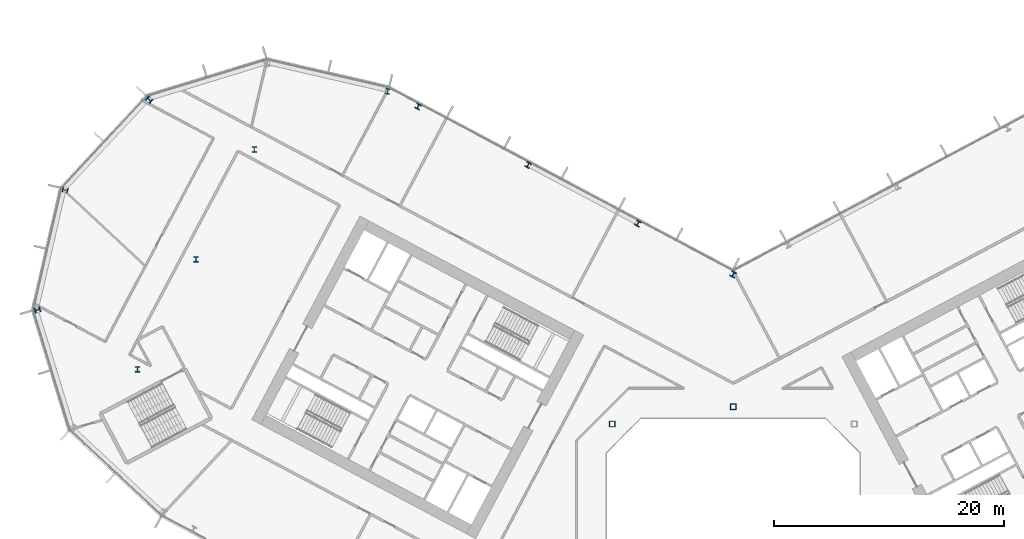
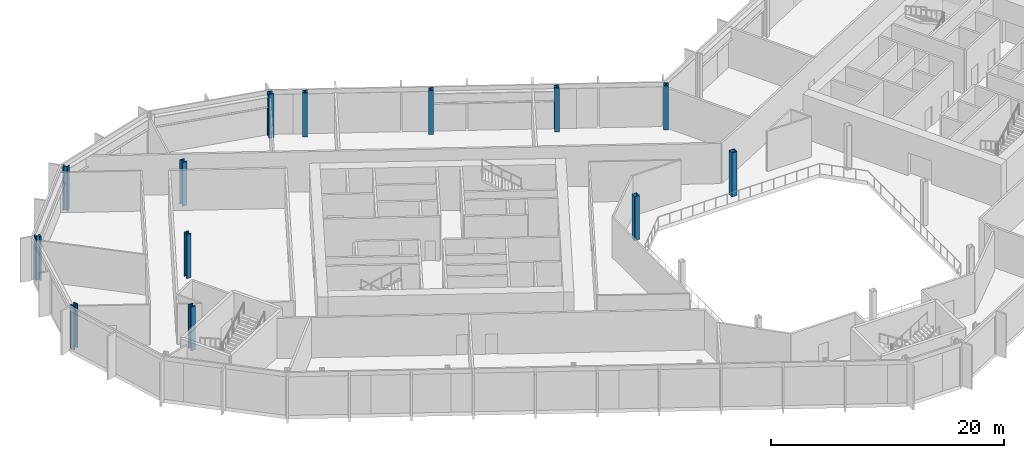
# One storey, part 2 of 32: 13 columns.
"""IFC4 building model written with IfcOpenShell, lengths in metres."""

from ifc_helpers import new_model, si_unit, direction, frame, origin, origin_2d, place, context, subcontext, project, spatial, hollow_rectangle, i_section, extrude, material, material_profile, profile_set, type_object, element, save


model = new_model("IFC4")

# Units and contexts
model_context = context("Model", 3, precision=1e-05, world=origin(), true_north=direction((0.0, 1.0)))
body_context = subcontext(model_context, "Body", "Model", "MODEL_VIEW")
ifc_project = project(units=[si_unit("LENGTHUNIT", "METRE"), si_unit("AREAUNIT", "SQUARE_METRE"), si_unit("VOLUMEUNIT", "CUBIC_METRE"), si_unit("PLANEANGLEUNIT", "RADIAN"), si_unit("MASSUNIT", "GRAM", prefix="KILO")], contexts=[model_context])

# Site, building, storey
site_placement = place(None, origin())
site = spatial("IfcSite", under=ifc_project, at=site_placement, CompositionType="ELEMENT")
building_placement = place(site_placement, origin())
building = spatial("IfcBuilding", under=site, at=building_placement, Name="Cormorant Relay Tower", CompositionType="ELEMENT")
storey_placement = place(building_placement, frame((0.0, 0.0, 70.800048828125)))
storey = spatial("IfcBuildingStorey", under=building, at=storey_placement, Name="L13", CompositionType="ELEMENT", Elevation=70.800048828125)

# Columns
ifc_material_1 = material(Name="Steel ASTM A500 Grade C (Fy 345 MPa)", Category="steel")
ifc_material_profile_1 = material_profile(ifc_material_1, hollow_rectangle(XDim=0.508056640625, YDim=0.508056640625, WallThickness=0.020751953125, InnerFilletRadius=0.01025390625, OuterFilletRadius=0.031005859375, at=origin_2d()), Name="HSS508x508x21")
ifc_profile_set_1 = profile_set([ifc_material_profile_1], Name="Steel ASTM A500 Grade C (Fy 345 MPa)")
column_type_1 = type_object("IfcColumnType", Name="Column HSS508x508x21", PredefinedType="COLUMN", material=ifc_profile_set_1)
for number, where, z_axis, x_axis, name in (
    (1, (-10.5, 10.5, 0.0), (0.0, 0.0, 1.0), (1.0, 0.0, 0.0), "Column L13-022"),
    (2, (0.0, 12.0, 0.0), (0.0, 0.0, 1.0), (1.0, 0.0, 0.0), "Column L13-024"),
):
    element("IfcColumn", number, at=place(storey_placement, frame(where, z_axis=z_axis, x_axis=x_axis)), inside=storey, type_object=column_type_1, Name=name, PredefinedType="COLUMN", context=body_context, shape_type="SweptSolid", body=[
        extrude(hollow_rectangle(XDim=0.508056640625, YDim=0.508056640625, WallThickness=0.020751953125, InnerFilletRadius=0.01025390625, OuterFilletRadius=0.031005859375, at=origin_2d()), origin(), (0.0, 0.0, 1.0), 4.599853515625),
    ])
ifc_material_2 = material(Name="Steel ASTM A992 (Fy 345 MPa)", Category="steel")
ifc_material_profile_2 = material_profile(ifc_material_2, i_section(OverallWidth=0.42431640625, OverallDepth=0.47509765625, WebThickness=0.0478515625, FlangeThickness=0.0771484375, FilletRadius=0.014892578125, at=origin_2d()), Name="W360x634")
ifc_profile_set_2 = profile_set([ifc_material_profile_2], Name="Steel ASTM A992 (Fy 345 MPa)")
column_type_2 = type_object("IfcColumnType", Name="Column W360x634", PredefinedType="COLUMN", material=ifc_profile_set_2)
for number, where, z_axis, x_axis, name in (
    (3, (-8.26611328125, 27.906982421875, 0.0), (0.0, 0.0, 1.0), (-0.882947592859, 0.469471562786, 0.0), "Column L13-036"),
    (4, (-17.802001953125, 32.97802734375, 0.0), (0.0, 0.0, 1.0), (-0.882947592859, 0.469471562786, 0.0), "Column L13-041"),
    (5, (-27.337890625, 38.048095703125, 0.0), (0.0, 0.0, 1.0), (-0.882947592859, 0.469471562786, 0.0), "Column L13-046"),
):
    element("IfcColumn", number, at=place(storey_placement, frame(where, z_axis=z_axis, x_axis=x_axis)), inside=storey, type_object=column_type_2, Name=name, PredefinedType="COLUMN", context=body_context, shape_type="SweptSolid", body=[
        extrude(i_section(OverallWidth=0.42431640625, OverallDepth=0.47509765625, WebThickness=0.0478515625, FlangeThickness=0.0771484375, FilletRadius=0.014892578125, at=origin_2d()), origin(), (0.0, 0.0, 1.0), 4.599853515625),
    ])
ifc_material_3 = material(Name="Steel ASTM A992 (Fy 345 MPa)", Category="steel")
ifc_material_profile_3 = material_profile(ifc_material_3, i_section(OverallWidth=0.43701171875, OverallDepth=0.51318359375, WebThickness=0.060546875, FlangeThickness=0.096923828125, FilletRadius=0.015380859375, at=origin_2d()), Name="W360x818")
ifc_profile_set_3 = profile_set([ifc_material_profile_3], Name="Steel ASTM A992 (Fy 345 MPa)")
column_type_3 = type_object("IfcColumnType", Name="Column W360x818", PredefinedType="COLUMN", material=ifc_profile_set_3)
for number, where, z_axis, x_axis, name in (
    (6, (-51.68994140625, 15.251953125, 0.0), (0.0, 0.0, 1.0), (1.0, 0.0, 0.0), "Column L13-027"),
    (7, (-60.3701171875, 20.406005859375, 0.0), (0.0, 0.0, 1.0), (0.292371704723, -0.956304755963, 0.0), "Column L13-030"),
    (8, (0.0, 23.48388671875, 0.0), (0.0, 0.0, 1.0), (-0.882947592859, 0.469471562786, 0.0), "Column L13-032"),
    (9, (-46.6201171875, 24.7880859375, 0.0), (0.0, 0.0, 1.0), (1.0, 0.0, 0.0), "Column L13-034"),
    (10, (-57.966064453125, 30.821044921875, 0.0), (0.0, 0.0, 1.0), (-0.224951054344, -0.974370064785, 0.0), "Column L13-038"),
    (11, (-41.549072265625, 34.323974609375, 0.0), (0.0, 0.0, 1.0), (1.0, 0.0, 0.0), "Column L13-043"),
    (12, (-50.675048828125, 38.637939453125, 0.0), (0.0, 0.0, 1.0), (-0.681998360062, -0.731353701619, 0.0), "Column L13-047"),
    (13, (-29.98193359375, 39.3779296875, 0.0), (0.0, 0.0, 1.0), (-0.974370064785, 0.224951054344, 0.0), "Column L13-048"),
):
    element("IfcColumn", number, at=place(storey_placement, frame(where, z_axis=z_axis, x_axis=x_axis)), inside=storey, type_object=column_type_3, Name=name, PredefinedType="COLUMN", context=body_context, shape_type="SweptSolid", body=[
        extrude(i_section(OverallWidth=0.43701171875, OverallDepth=0.51318359375, WebThickness=0.060546875, FlangeThickness=0.096923828125, FilletRadius=0.015380859375, at=origin_2d()), origin(), (0.0, 0.0, 1.0), 4.599853515625),
    ])

save(model, "model.ifc")
